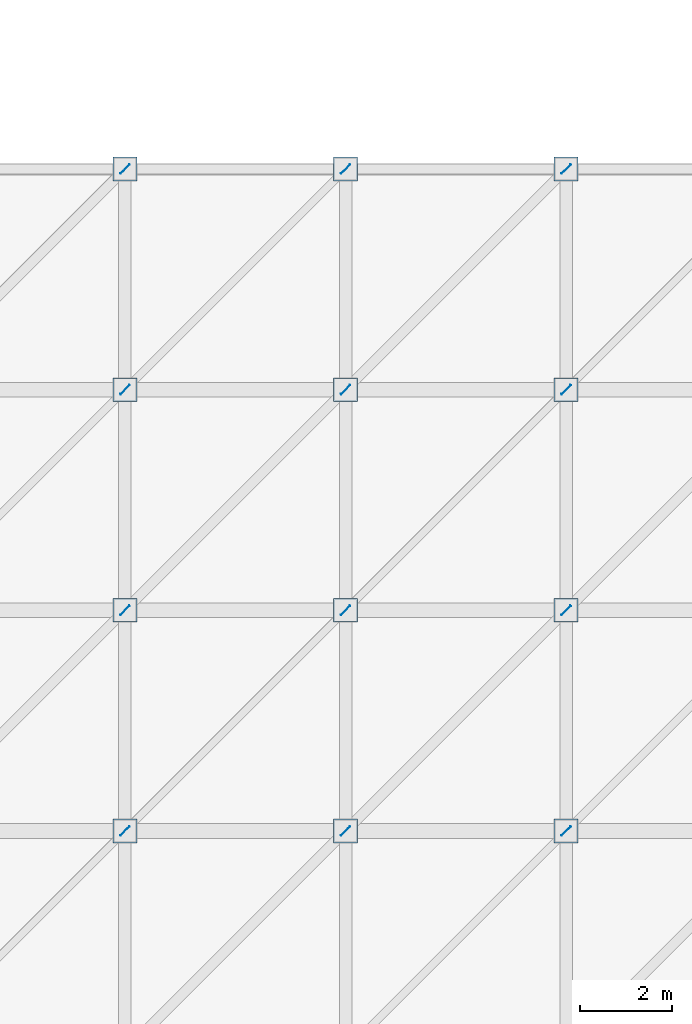
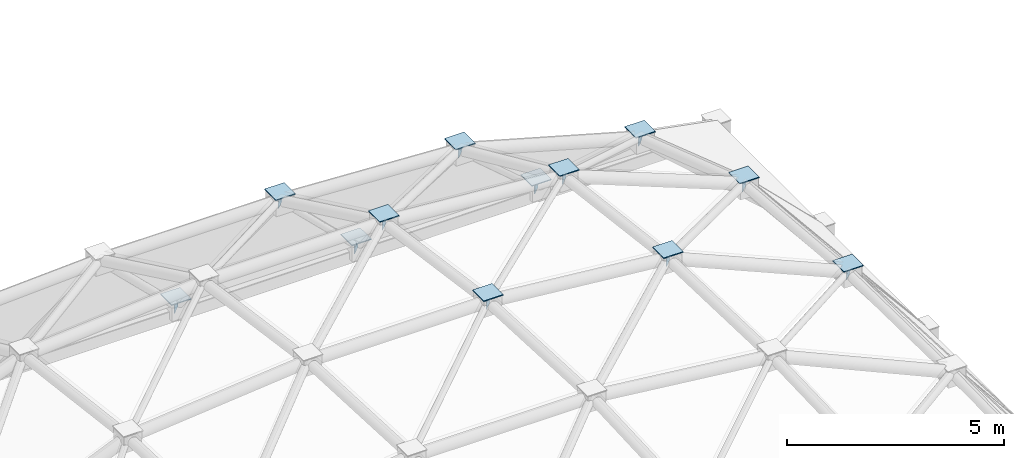
# One storey, part 54 of 70: 24 plates.
"""IFC4 building model written with IfcOpenShell, lengths in metres."""

from ifc_helpers import new_model, si_unit, direction, frame, origin, origin_2d, place, context, subcontext, project, spatial, rectangle, extrude, material, layer, layer_set, type_object, element, save


model = new_model("IFC4")

# Units and contexts
model_context = context("Model", 3, precision=1e-05, world=origin(), true_north=direction((0.0, 1.0)))
body_context = subcontext(model_context, "Body", "Model", "MODEL_VIEW")
ifc_project = project(units=[si_unit("LENGTHUNIT", "METRE"), si_unit("AREAUNIT", "SQUARE_METRE"), si_unit("VOLUMEUNIT", "CUBIC_METRE"), si_unit("PLANEANGLEUNIT", "RADIAN"), si_unit("MASSUNIT", "GRAM", prefix="KILO")], contexts=[model_context])

# Site, building, storey
site_placement = place(None, origin())
site = spatial("IfcSite", under=ifc_project, at=site_placement, CompositionType="ELEMENT")
building_placement = place(site_placement, origin())
building = spatial("IfcBuilding", under=site, at=building_placement, Name="Mavantir Sound Aquarium", CompositionType="ELEMENT")
storey_placement = place(building_placement, frame((0.0, 0.0, 27.0)))
storey = spatial("IfcBuildingStorey", under=building, at=storey_placement, Name="RF", CompositionType="ELEMENT", Elevation=27.0)

# Plates
ifc_material = material(Name="Structural Steel ASTM A572 Gr50", Category="steel")
ifc_layer_1 = layer(ifc_material, 0.01611328125, Name="Structural Steel ASTM A572 Gr50")
ifc_layer_set_1 = layer_set([ifc_layer_1], Name="Structural Steel ASTM A572 Gr50")
plate_type_1 = type_object("IfcPlateType", Name="PLT-GUSSET-16", PredefinedType="SHEET", material=ifc_layer_set_1)
for number, where, z_axis, x_axis, name in (
    (1, (19.199951171875, 64.800048828125, 1.50244140625), (0.0, 0.0, 1.0), (0.707106781187, 0.707106781187, 0.0), "Brace end gusset plate GP-01 40"),
    (2, (19.199951171875, 69.60009765625, 0.82373046875), (0.0, 0.0, 1.0), (0.707106781187, 0.707106781187, 0.0), "Brace end gusset plate GP-01 41"),
    (3, (19.199951171875, 74.39990234375, -1.4755859375), (0.0, 0.0, 1.0), (0.707106781187, 0.707106781187, 0.0), "Brace end gusset plate GP-01 42"),
    (4, (19.199951171875, 79.199951171875, -7.33984375), (0.0, 0.0, 1.0), (0.707106781187, 0.707106781187, 0.0), "Brace end gusset plate GP-01 43"),
    (5, (24.0, 64.800048828125, 1.0341796875), (0.0, 0.0, 1.0), (0.707106781187, 0.707106781187, 0.0), "Brace end gusset plate GP-01 49"),
    (6, (24.0, 69.60009765625, 0.43603515625), (0.0, 0.0, 1.0), (0.707106781187, 0.707106781187, 0.0), "Brace end gusset plate GP-01 50"),
    (7, (24.0, 74.39990234375, -1.72900390625), (0.0, 0.0, 1.0), (0.707106781187, 0.707106781187, 0.0), "Brace end gusset plate GP-01 51"),
    (8, (24.0, 79.199951171875, -7.33984375), (0.0, 0.0, 1.0), (0.707106781187, 0.707106781187, 0.0), "Brace end gusset plate GP-01 52"),
    (9, (28.800048828125, 64.800048828125, -1.03173828125), (0.0, 0.0, 1.0), (0.707106781187, 0.707106781187, 0.0), "Brace end gusset plate GP-01 58"),
    (10, (28.800048828125, 69.60009765625, -1.45556640625), (0.0, 0.0, 1.0), (0.707106781187, 0.707106781187, 0.0), "Brace end gusset plate GP-01 59"),
    (11, (28.800048828125, 74.39990234375, -3.07861328125), (0.0, 0.0, 1.0), (0.707106781187, 0.707106781187, 0.0), "Brace end gusset plate GP-01 60"),
    (12, (28.800048828125, 79.199951171875, -7.33984375), (0.0, 0.0, 1.0), (0.707106781187, 0.707106781187, 0.0), "Brace end gusset plate GP-01 61"),
):
    element("IfcPlate", number, at=place(storey_placement, frame(where, z_axis=z_axis, x_axis=x_axis)), inside=storey, type_object=plate_type_1, Name=name, PredefinedType="SHEET", context=body_context, shape_type="SweptSolid", body=[
        extrude(rectangle(XDim=0.280029296875, YDim=0.01611328125, at=origin_2d()), origin(), (0.0, 0.0, 1.0), 0.280029296875),
    ])
ifc_layer_2 = layer(ifc_material, 0.02490234375, Name="Structural Steel ASTM A572 Gr50")
ifc_layer_set_2 = layer_set([ifc_layer_2], Name="Structural Steel ASTM A572 Gr50")
plate_type_2 = type_object("IfcPlateType", Name="PLT-NODE-25", PredefinedType="SHEET", material=ifc_layer_set_2)
for number, where, z_axis, x_axis, name in (
    (13, (19.199951171875, 64.800048828125, 1.870361328125), (0.0, 0.0, 1.0), (1.0, 0.0, 0.0), "Gridshell steel node cap plate NP-42"),
    (14, (19.199951171875, 69.60009765625, 1.191162109375), (0.0, 0.0, 1.0), (1.0, 0.0, 0.0), "Gridshell steel node cap plate NP-43"),
    (15, (19.199951171875, 74.39990234375, -1.108154296875), (0.0, 0.0, 1.0), (1.0, 0.0, 0.0), "Gridshell steel node cap plate NP-44"),
    (16, (19.199951171875, 79.199951171875, -6.972412109375), (0.0, 0.0, 1.0), (1.0, 0.0, 0.0), "Gridshell steel node cap plate NP-45"),
    (17, (24.0, 64.800048828125, 1.40185546875), (0.0, 0.0, 1.0), (1.0, 0.0, 0.0), "Gridshell steel node cap plate NP-51"),
    (18, (24.0, 69.60009765625, 0.803466796875), (0.0, 0.0, 1.0), (1.0, 0.0, 0.0), "Gridshell steel node cap plate NP-52"),
    (19, (24.0, 74.39990234375, -1.361572265625), (0.0, 0.0, 1.0), (1.0, 0.0, 0.0), "Gridshell steel node cap plate NP-53"),
    (20, (24.0, 79.199951171875, -6.972412109375), (0.0, 0.0, 1.0), (1.0, 0.0, 0.0), "Gridshell steel node cap plate NP-54"),
    (21, (28.800048828125, 64.800048828125, -0.6640625), (0.0, 0.0, 1.0), (1.0, 0.0, 0.0), "Gridshell steel node cap plate NP-60"),
    (22, (28.800048828125, 69.60009765625, -1.088134765625), (0.0, 0.0, 1.0), (1.0, 0.0, 0.0), "Gridshell steel node cap plate NP-61"),
    (23, (28.800048828125, 74.39990234375, -2.711181640625), (0.0, 0.0, 1.0), (1.0, 0.0, 0.0), "Gridshell steel node cap plate NP-62"),
    (24, (28.800048828125, 79.199951171875, -6.972412109375), (0.0, 0.0, 1.0), (1.0, 0.0, 0.0), "Gridshell steel node cap plate NP-63"),
):
    element("IfcPlate", number, at=place(storey_placement, frame(where, z_axis=z_axis, x_axis=x_axis)), inside=storey, type_object=plate_type_2, Name=name, PredefinedType="SHEET", context=body_context, shape_type="SweptSolid", body=[
        extrude(rectangle(XDim=0.52001953125, YDim=0.52001953125, at=origin_2d()), origin(), (0.0, 0.0, 1.0), 0.02490234375),
    ])

save(model, "model.ifc")
